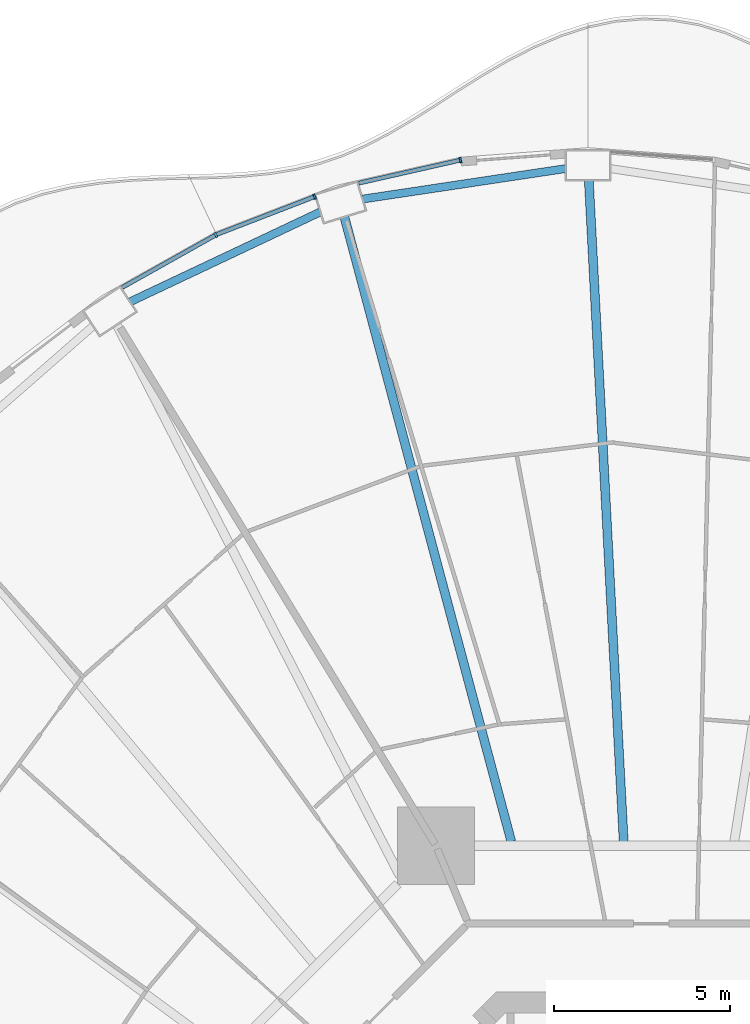
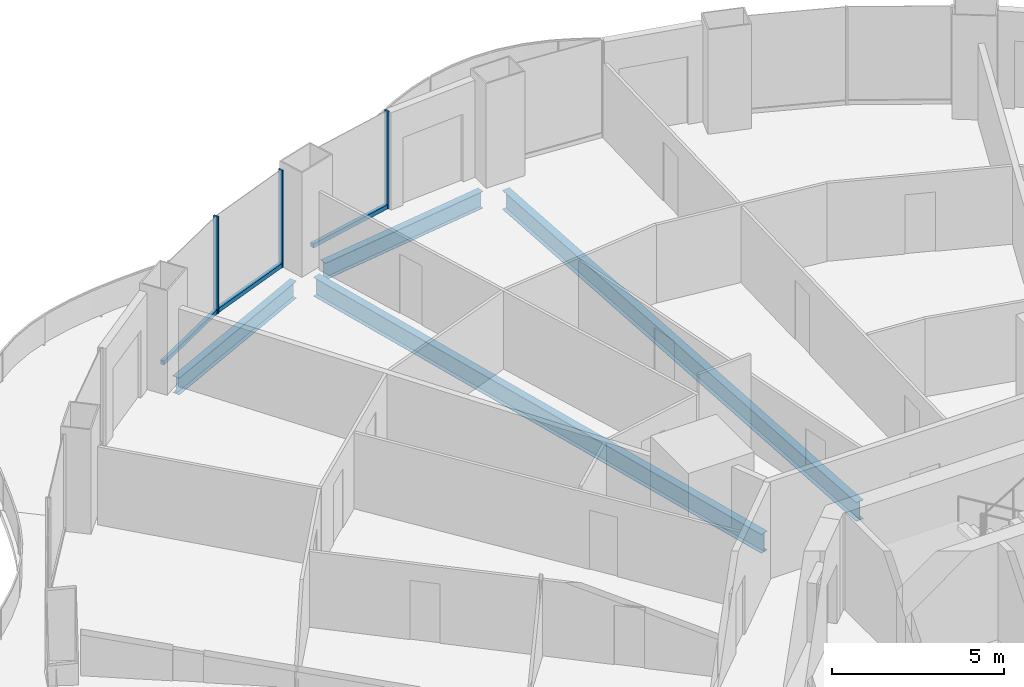
# One storey, part 9 of 22: 6 members, 4 beams, 3 elements without a shape of their own.
"""IFC4 building model written with IfcOpenShell, lengths in metres."""

from ifc_helpers import new_model, si_unit, direction, frame, origin, origin_2d, place, context, subcontext, project, spatial, rectangle, i_section, extrude, material, layer, layer_set, material_profile, profile_set, type_object, element, aggregate, save


model = new_model("IFC4")

# Units and contexts
model_context = context("Model", 3, precision=1e-05, world=origin(), true_north=direction((0.0, 1.0)))
body_context = subcontext(model_context, "Body", "Model", "MODEL_VIEW")
ifc_project = project(units=[si_unit("LENGTHUNIT", "METRE"), si_unit("AREAUNIT", "SQUARE_METRE"), si_unit("VOLUMEUNIT", "CUBIC_METRE"), si_unit("PLANEANGLEUNIT", "RADIAN"), si_unit("MASSUNIT", "GRAM", prefix="KILO")], contexts=[model_context])

# Site, building, storey
site_placement = place(None, origin())
site = spatial("IfcSite", under=ifc_project, at=site_placement, CompositionType="ELEMENT")
building_placement = place(site_placement, origin())
building = spatial("IfcBuilding", under=site, at=building_placement, Name="Nagisa Residences", CompositionType="ELEMENT")
storey_placement = place(building_placement, frame((0.0, 0.0, 99.199951171875)))
storey = spatial("IfcBuildingStorey", under=building, at=storey_placement, Name="L24", CompositionType="ELEMENT", Elevation=99.199951171875)

# Curtain wall, member
ifc_material_1 = material(Name="Concrete-coloured aluminium curtain wall system", Category="concrete")
ifc_layer = layer(ifc_material_1, 0.159912109375)
ifc_layer_set = layer_set([ifc_layer], Name="CW1 CURTAIN WALL")
curtain_wall_type = type_object("IfcCurtainWallType", Name="CW1 CURTAIN WALL", PredefinedType="NOTDEFINED", material=ifc_layer_set)
curtain_wall_1_placement = place(storey_placement, origin())
curtain_wall_1 = element("IfcCurtainWall", 1, at=curtain_wall_1_placement, inside=storey, type_object=curtain_wall_type, Name="cw:CW1:L24:13", PredefinedType="NOTDEFINED")
ifc_material_2 = material(Name="Concrete-coloured aluminium", Category="concrete")
ifc_material_profile_1 = material_profile(ifc_material_2, rectangle(XDim=0.159912109375, YDim=0.06005859375, at=origin_2d()), Name="CW1 MULLION 160x60")
ifc_profile_set_1 = profile_set([ifc_material_profile_1], Name="Concrete-coloured aluminium")
member_type_1 = type_object("IfcMemberType", Name="CW1 MULLION 160x60", PredefinedType="MULLION", material=ifc_profile_set_1)
member_1_placement = place(storey_placement, frame((-5.426513671875, 34.2783203125, 0.0), z_axis=(0.0, 0.0, 1.0), x_axis=(0.2207639201, -0.975327274089, 0.0)))
member_1 = element("IfcMember", 2, at=member_1_placement, type_object=member_type_1, Name="CW1 mullion", PredefinedType="MULLION", context=body_context, shape_type="SweptSolid", body=[
    extrude(rectangle(XDim=0.159912109375, YDim=0.06005859375, at=origin_2d()), origin(), (0.0, 0.0, 1.0), 3.43994140625),
])

curtain_wall_2_placement = place(storey_placement, origin())
curtain_wall_2 = element("IfcCurtainWall", 3, at=curtain_wall_2_placement, inside=storey, type_object=curtain_wall_type, Name="cw:CW1:L24:14", PredefinedType="NOTDEFINED")
member_2_placement = place(storey_placement, frame((-9.573486328125, 33.2392578125, 0.0), z_axis=(0.0, 0.0, 1.0), x_axis=(0.360327770268, -0.932825759707, 0.0)))
member_2 = element("IfcMember", 4, at=member_2_placement, type_object=member_type_1, Name="CW1 mullion", PredefinedType="MULLION", context=body_context, shape_type="SweptSolid", body=[
    extrude(rectangle(XDim=0.159912109375, YDim=0.06005859375, at=origin_2d()), origin(), (0.0, 0.0, 1.0), 3.43994140625),
])

curtain_wall_3_placement = place(storey_placement, origin())
curtain_wall_3 = element("IfcCurtainWall", 5, at=curtain_wall_3_placement, inside=storey, type_object=curtain_wall_type, Name="cw:CW1:L24:15", PredefinedType="NOTDEFINED")
member_3_placement = place(storey_placement, frame((-12.385498046875, 32.1494140625, 0.0), z_axis=(0.0, 0.0, 1.0), x_axis=(0.489376918501, -0.872072377523, 0.0)))
member_3 = element("IfcMember", 6, at=member_3_placement, type_object=member_type_1, Name="CW1 mullion", PredefinedType="MULLION", context=body_context, shape_type="SweptSolid", body=[
    extrude(rectangle(XDim=0.159912109375, YDim=0.06005859375, at=origin_2d()), origin(), (0.0, 0.0, 1.0), 3.43994140625),
])

# Member
ifc_material_3 = material(Name="Concrete-coloured aluminium", Category="concrete")
ifc_material_profile_2 = material_profile(ifc_material_3, rectangle(XDim=0.1201171875, YDim=0.14990234375, at=origin_2d()), Name="CW1 TRANSOM 120x150")
ifc_profile_set_2 = profile_set([ifc_material_profile_2], Name="Concrete-coloured aluminium")
member_type_2 = type_object("IfcMemberType", Name="CW1 TRANSOM 120x150", PredefinedType="USERDEFINED", material=ifc_profile_set_2)
member_4_placement = place(storey_placement, frame((-5.397216796875, 34.28515625, 0.074951171875), z_axis=(-0.975317607872, -0.220806620767, 0.0), x_axis=(0.220806620767, -0.975317607872, 0.0)))
member_4 = element("IfcMember", 7, at=member_4_placement, type_object=member_type_2, Name="CW1 transom", ObjectType="TRANSOM", PredefinedType="USERDEFINED", context=body_context, shape_type="SweptSolid", body=[
    extrude(rectangle(XDim=0.1201171875, YDim=0.14990234375, at=origin_2d()), origin(), (0.0, 0.0, 1.0), 2.9931640625),
])

aggregate(curtain_wall_1, [member_1, member_4])

member_5_placement = place(storey_placement, frame((-9.54541015625, 33.25, 0.074951171875), z_axis=(-0.932837560624, -0.360297218263, 0.0), x_axis=(0.360297218263, -0.932837560624, 0.0)))
member_5 = element("IfcMember", 8, at=member_5_placement, type_object=member_type_2, Name="CW1 transom", ObjectType="TRANSOM", PredefinedType="USERDEFINED", context=body_context, shape_type="SweptSolid", body=[
    extrude(rectangle(XDim=0.1201171875, YDim=0.14990234375, at=origin_2d()), origin(), (0.0, 0.0, 1.0), 3.027587890625),
])

aggregate(curtain_wall_2, [member_2, member_5])

member_6_placement = place(storey_placement, frame((-12.359375, 32.1640625, 0.074951171875), z_axis=(-0.872037280335, -0.489439456631, 0.0), x_axis=(0.489439456631, -0.872037280335, 0.0)))
member_6 = element("IfcMember", 9, at=member_6_placement, type_object=member_type_2, Name="CW1 transom", ObjectType="TRANSOM", PredefinedType="USERDEFINED", context=body_context, shape_type="SweptSolid", body=[
    extrude(rectangle(XDim=0.1201171875, YDim=0.14990234375, at=origin_2d()), origin(), (0.0, 0.0, 1.0), 3.07568359375),
])

aggregate(curtain_wall_3, [member_3, member_6])

# Beams
ifc_material_4 = material(Name="Steel ASTM A572 Gr 50", Category="steel")
ifc_material_profile_3 = material_profile(ifc_material_4, i_section(OverallWidth=0.22802734375, OverallDepth=0.60302734375, WebThickness=0.010498046875, FlangeThickness=0.014892578125, at=origin_2d()), Name="W610x101")
ifc_profile_set_3 = profile_set([ifc_material_profile_3], Name="Steel ASTM A572 Gr 50")
beam_type_1 = type_object("IfcBeamType", Name="Perimeter ring beam W610x101", PredefinedType="BEAM", material=ifc_profile_set_3)
beam_1_placement = place(storey_placement, frame((-2.43017578125, 34.0380859375, -0.5615234375), z_axis=(-0.988913048607, -0.148495731568, 0.0), x_axis=(0.148495731568, -0.988913048607, 0.0)))
element("IfcBeam", 10, at=beam_1_placement, inside=storey, type_object=beam_type_1, Name="beam:L24:pb07", PredefinedType="BEAM", context=body_context, shape_type="SweptSolid", body=[
    extrude(i_section(OverallWidth=0.22802734375, OverallDepth=0.60302734375, WebThickness=0.010498046875, FlangeThickness=0.014892578125, at=origin_2d()), origin(), (0.0, 0.0, 1.0), 5.843017578125),
])
beam_2_placement = place(storey_placement, frame((-9.41455078125, 32.8037109375, -0.5615234375), z_axis=(-0.90418952838, -0.427131474804, 0.0), x_axis=(0.427131474804, -0.90418952838, 0.0)))
element("IfcBeam", 11, at=beam_2_placement, inside=storey, type_object=beam_type_1, Name="beam:L24:pb08", PredefinedType="BEAM", context=body_context, shape_type="SweptSolid", body=[
    extrude(i_section(OverallWidth=0.22802734375, OverallDepth=0.60302734375, WebThickness=0.010498046875, FlangeThickness=0.014892578125, at=origin_2d()), origin(), (0.0, 0.0, 1.0), 5.98046875),
])
ifc_material_5 = material(Name="Steel ASTM A572 Gr 50", Category="steel")
ifc_material_profile_4 = material_profile(ifc_material_5, i_section(OverallWidth=0.2529296875, OverallDepth=0.677978515625, WebThickness=0.01171875, FlangeThickness=0.016357421875, at=origin_2d()), Name="W690x125")
ifc_profile_set_4 = profile_set([ifc_material_profile_4], Name="Steel ASTM A572 Gr 50")
beam_type_2 = type_object("IfcBeamType", Name="Radial beam W690x125", PredefinedType="BEAM", material=ifc_profile_set_4)
beam_3_placement = place(storey_placement, frame((-1.77734375, 33.70263671875, -0.598876953125), z_axis=(0.05266700958, -0.998612129959, 0.0), x_axis=(0.998612129959, 0.05266700958, 0.0)))
element("IfcBeam", 12, at=beam_3_placement, inside=storey, type_object=beam_type_2, Name="beam:L24:rb07", PredefinedType="BEAM", context=body_context, shape_type="SweptSolid", body=[
    extrude(i_section(OverallWidth=0.2529296875, OverallDepth=0.677978515625, WebThickness=0.01171875, FlangeThickness=0.016357421875, at=origin_2d()), origin(), (0.0, 0.0, 1.0), 18.834228515625),
])
beam_4_placement = place(storey_placement, frame((-8.7275390625, 32.66015625, -0.598876953125), z_axis=(0.258170831181, -0.96609928161, 0.0), x_axis=(0.96609928161, 0.258170831181, 0.0)))
element("IfcBeam", 13, at=beam_4_placement, inside=storey, type_object=beam_type_2, Name="beam:L24:rb08", PredefinedType="BEAM", context=body_context, shape_type="SweptSolid", body=[
    extrude(i_section(OverallWidth=0.2529296875, OverallDepth=0.677978515625, WebThickness=0.01171875, FlangeThickness=0.016357421875, at=origin_2d()), origin(), (0.0, 0.0, 1.0), 18.38818359375),
])

save(model, "model.ifc")
